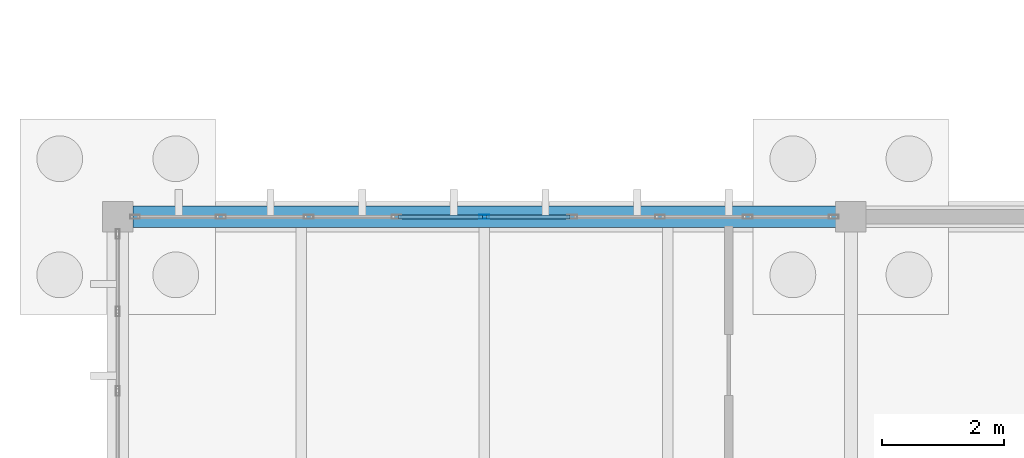
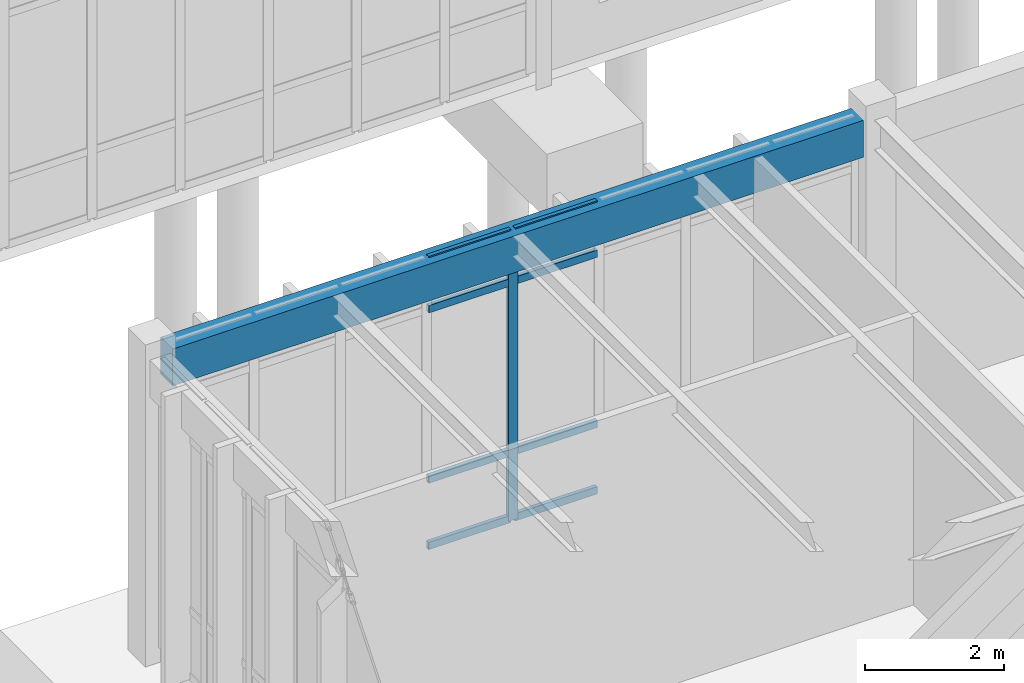
# One storey, part 28 of 188: 9 members, 1 beam, 1 element without a shape of its own.
"""IFC4 building model written with IfcOpenShell, lengths in metres."""

from ifc_helpers import new_model, si_unit, direction, frame, origin, origin_2d, place, context, subcontext, project, spatial, rectangle, hollow_rectangle, extrude, material, layer, layer_set, material_profile, profile_set, type_object, element, aggregate, save


model = new_model("IFC4")

# Units and contexts
model_context = context("Model", 3, precision=1e-05, world=origin(), true_north=direction((0.0, 1.0)))
body_context = subcontext(model_context, "Body", "Model", "MODEL_VIEW")
ifc_project = project(units=[si_unit("LENGTHUNIT", "METRE"), si_unit("AREAUNIT", "SQUARE_METRE"), si_unit("VOLUMEUNIT", "CUBIC_METRE"), si_unit("PLANEANGLEUNIT", "RADIAN"), si_unit("MASSUNIT", "GRAM", prefix="KILO")], contexts=[model_context])

# Site, building, storey
site_placement = place(None, origin())
site = spatial("IfcSite", under=ifc_project, at=site_placement, CompositionType="ELEMENT")
building_placement = place(site_placement, origin())
building = spatial("IfcBuilding", under=site, at=building_placement, Name="Pandanus Reach Market Hall", CompositionType="ELEMENT")
storey_placement = place(building_placement, origin())
storey = spatial("IfcBuildingStorey", under=building, at=storey_placement, Name="L00", CompositionType="ELEMENT", Elevation=0.0)

# Beam
ifc_material_1 = material(Name="Concrete N40 (40 MPa)", Category="concrete")
ifc_material_profile_1 = material_profile(ifc_material_1, rectangle(XDim=0.35009765625, YDim=0.64990234375, at=origin_2d()), Name="RC350x650", Category="LoadBearing")
ifc_profile_set_1 = profile_set([ifc_material_profile_1], Name="Concrete N40 (40 MPa)")
beam_type = type_object("IfcBeamType", Name="BM-RC350-E", PredefinedType="SPANDREL", material=ifc_profile_set_1)
beam_placement = place(storey_placement, frame((0.248046875, 28.800048828125, 4.784912109375), z_axis=(1.0, 0.0, 0.0), x_axis=(0.0, 1.0, 0.0)))
element("IfcBeam", 1, at=beam_placement, inside=storey, type_object=beam_type, Name="Framing beam BM-RC350-E L00.930", PredefinedType="SPANDREL", context=body_context, shape_type="SweptSolid", body=[
    extrude(rectangle(XDim=0.35009765625, YDim=0.64990234375, at=origin_2d()), origin(), (0.0, 0.0, 1.0), 11.50390625),
])

# Curtain wall, members
ifc_material_2 = material(Name="Bronze anodised aluminium and low-E glass", Category="aluminium")
ifc_layer = layer(ifc_material_2, 0.159912109375, Name="CW-11")
ifc_layer_set = layer_set([ifc_layer], Name="Bronze anodised aluminium and low-E glass")
curtain_wall_type = type_object("IfcCurtainWallType", Name="CW-11", PredefinedType="NOTDEFINED", material=ifc_layer_set)
curtain_wall_placement = place(storey_placement, origin())
curtain_wall = element("IfcCurtainWall", 2, at=curtain_wall_placement, inside=storey, type_object=curtain_wall_type, Name="Glazed curtain wall CW-11 CW-0049", PredefinedType="NOTDEFINED")
ifc_material_3 = material(Name="Bronze anodised aluminium", Category="aluminium")
ifc_material_profile_2 = material_profile(ifc_material_3, hollow_rectangle(XDim=0.06494140625, YDim=0.159912109375, WallThickness=0.00390625, at=origin_2d()), Name="ALU65x160", Category="LoadBearing")
ifc_profile_set_2 = profile_set([ifc_material_profile_2], Name="Bronze anodised aluminium")
member_type_1 = type_object("IfcMemberType", Name="CW-M1", PredefinedType="MULLION", material=ifc_profile_set_2)
member_1_placement = place(storey_placement, frame((6.0, 28.800048828125, 0.0), z_axis=(0.0, 0.0, 1.0), x_axis=(0.0, 1.0, 0.0)))
member_1 = element("IfcMember", 3, at=member_1_placement, type_object=member_type_1, Name="CW-11 mullion 5", PredefinedType="MULLION", context=body_context, shape_type="SweptSolid", body=[
    extrude(hollow_rectangle(XDim=0.06494140625, YDim=0.159912109375, WallThickness=0.00390625, at=origin_2d()), origin(), (0.0, 0.0, 1.0), 5.10009765625),
])
ifc_material_profile_3 = material_profile(ifc_material_3, hollow_rectangle(XDim=0.06494140625, YDim=0.1298828125, WallThickness=0.00390625, at=origin_2d()), Name="ALU65x130", Category="LoadBearing")
ifc_profile_set_3 = profile_set([ifc_material_profile_3], Name="Bronze anodised aluminium")
member_type_2 = type_object("IfcMemberType", Name="CW-T1", PredefinedType="USERDEFINED", material=ifc_profile_set_3)
member_2_placement = place(storey_placement, frame((4.594970703125, 28.800048828125, 0.032470703125), z_axis=(1.0, 0.0, 0.0), x_axis=(0.0, 1.0, 0.0)))
member_2 = element("IfcMember", 4, at=member_2_placement, type_object=member_type_2, Name="CW-11 transom 4.1", ObjectType="TRANSOM", PredefinedType="USERDEFINED", context=body_context, shape_type="SweptSolid", body=[
    extrude(hollow_rectangle(XDim=0.06494140625, YDim=0.1298828125, WallThickness=0.00390625, at=origin_2d()), origin(), (0.0, 0.0, 1.0), 1.37255859375),
])
member_3_placement = place(storey_placement, frame((4.594970703125, 28.800048828125, 1.199951171875), z_axis=(1.0, 0.0, 0.0), x_axis=(0.0, 1.0, 0.0)))
member_3 = element("IfcMember", 5, at=member_3_placement, type_object=member_type_2, Name="CW-11 transom 4.2", ObjectType="TRANSOM", PredefinedType="USERDEFINED", context=body_context, shape_type="SweptSolid", body=[
    extrude(hollow_rectangle(XDim=0.06494140625, YDim=0.1298828125, WallThickness=0.00390625, at=origin_2d()), origin(), (0.0, 0.0, 1.0), 1.37255859375),
])
member_4_placement = place(storey_placement, frame((4.594970703125, 28.800048828125, 4.199951171875), z_axis=(1.0, 0.0, 0.0), x_axis=(0.0, 1.0, 0.0)))
member_4 = element("IfcMember", 6, at=member_4_placement, type_object=member_type_2, Name="CW-11 transom 4.3", ObjectType="TRANSOM", PredefinedType="USERDEFINED", context=body_context, shape_type="SweptSolid", body=[
    extrude(hollow_rectangle(XDim=0.06494140625, YDim=0.1298828125, WallThickness=0.00390625, at=origin_2d()), origin(), (0.0, 0.0, 1.0), 1.37255859375),
])
member_5_placement = place(storey_placement, frame((4.594970703125, 28.800048828125, 5.0673828125), z_axis=(1.0, 0.0, 0.0), x_axis=(0.0, 1.0, 0.0)))
member_5 = element("IfcMember", 7, at=member_5_placement, type_object=member_type_2, Name="CW-11 transom 4.4", ObjectType="TRANSOM", PredefinedType="USERDEFINED", context=body_context, shape_type="SweptSolid", body=[
    extrude(hollow_rectangle(XDim=0.06494140625, YDim=0.1298828125, WallThickness=0.00390625, at=origin_2d()), origin(), (0.0, 0.0, 1.0), 1.37255859375),
])
member_6_placement = place(storey_placement, frame((6.032470703125, 28.800048828125, 0.032470703125), z_axis=(1.0, 0.0, 0.0), x_axis=(0.0, 1.0, 0.0)))
member_6 = element("IfcMember", 8, at=member_6_placement, type_object=member_type_2, Name="CW-11 transom 5.1", ObjectType="TRANSOM", PredefinedType="USERDEFINED", context=body_context, shape_type="SweptSolid", body=[
    extrude(hollow_rectangle(XDim=0.06494140625, YDim=0.1298828125, WallThickness=0.00390625, at=origin_2d()), origin(), (0.0, 0.0, 1.0), 1.37255859375),
])
member_7_placement = place(storey_placement, frame((6.032470703125, 28.800048828125, 1.199951171875), z_axis=(1.0, 0.0, 0.0), x_axis=(0.0, 1.0, 0.0)))
member_7 = element("IfcMember", 9, at=member_7_placement, type_object=member_type_2, Name="CW-11 transom 5.2", ObjectType="TRANSOM", PredefinedType="USERDEFINED", context=body_context, shape_type="SweptSolid", body=[
    extrude(hollow_rectangle(XDim=0.06494140625, YDim=0.1298828125, WallThickness=0.00390625, at=origin_2d()), origin(), (0.0, 0.0, 1.0), 1.37255859375),
])
member_8_placement = place(storey_placement, frame((6.032470703125, 28.800048828125, 4.199951171875), z_axis=(1.0, 0.0, 0.0), x_axis=(0.0, 1.0, 0.0)))
member_8 = element("IfcMember", 10, at=member_8_placement, type_object=member_type_2, Name="CW-11 transom 5.3", ObjectType="TRANSOM", PredefinedType="USERDEFINED", context=body_context, shape_type="SweptSolid", body=[
    extrude(hollow_rectangle(XDim=0.06494140625, YDim=0.1298828125, WallThickness=0.00390625, at=origin_2d()), origin(), (0.0, 0.0, 1.0), 1.37255859375),
])
member_9_placement = place(storey_placement, frame((6.032470703125, 28.800048828125, 5.0673828125), z_axis=(1.0, 0.0, 0.0), x_axis=(0.0, 1.0, 0.0)))
member_9 = element("IfcMember", 11, at=member_9_placement, type_object=member_type_2, Name="CW-11 transom 5.4", ObjectType="TRANSOM", PredefinedType="USERDEFINED", context=body_context, shape_type="SweptSolid", body=[
    extrude(hollow_rectangle(XDim=0.06494140625, YDim=0.1298828125, WallThickness=0.00390625, at=origin_2d()), origin(), (0.0, 0.0, 1.0), 1.37255859375),
])
aggregate(curtain_wall, [member_1, member_2, member_3, member_4, member_5, member_6, member_7, member_8, member_9])

save(model, "model.ifc")
